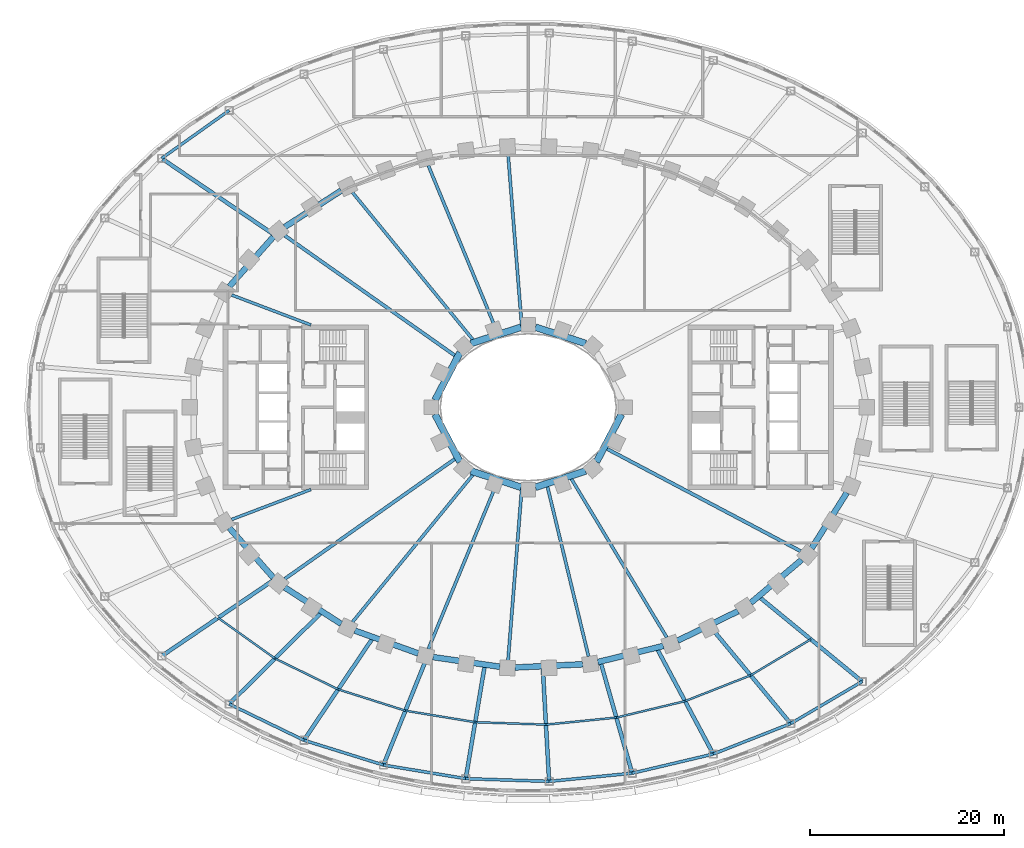
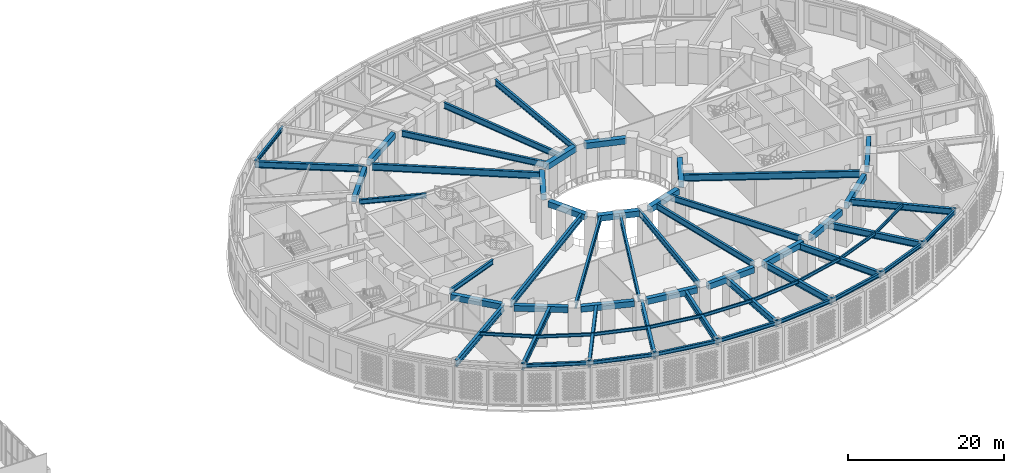
# One storey, part 12 of 74: 60 beams.
"""IFC4 building model written with IfcOpenShell, lengths in metres."""

from ifc_helpers import new_model, si_unit, direction, frame, origin, origin_2d, place, context, subcontext, project, spatial, rectangle, i_section, extrude, material, material_profile, profile_set, type_object, element, save


model = new_model("IFC4")

# Units and contexts
model_context = context("Model", 3, precision=1e-05, world=origin(), true_north=direction((0.0, 1.0)))
body_context = subcontext(model_context, "Body", "Model", "MODEL_VIEW")
ifc_project = project(units=[si_unit("LENGTHUNIT", "METRE"), si_unit("AREAUNIT", "SQUARE_METRE"), si_unit("VOLUMEUNIT", "CUBIC_METRE"), si_unit("PLANEANGLEUNIT", "RADIAN"), si_unit("MASSUNIT", "GRAM", prefix="KILO")], contexts=[model_context])

# Site, building, storey
site_placement = place(None, origin())
site = spatial("IfcSite", under=ifc_project, at=site_placement, CompositionType="ELEMENT")
building_placement = place(site_placement, origin())
building = spatial("IfcBuilding", under=site, at=building_placement, Name="Noorbagh Ring Tower", CompositionType="ELEMENT")
storey_placement = place(building_placement, frame((0.0, 0.0, 13.5)))
storey = spatial("IfcBuildingStorey", under=building, at=storey_placement, Name="L02", CompositionType="ELEMENT", Elevation=13.5)

# Beams
ifc_material_1 = material(Name="Steel S355", Category="steel")
ifc_material_profile_1 = material_profile(ifc_material_1, i_section(OverallWidth=0.300048828125, OverallDepth=0.60009765625, WebThickness=0.015380859375, FlangeThickness=0.030029296875, FilletRadius=0.027099609375, at=origin_2d()), Name="HEB600")
ifc_profile_set_1 = profile_set([ifc_material_profile_1], Name="Steel S355")
beam_type_1 = type_object("IfcBeamType", Name="GND-EDGE-BEAM-HEB600", PredefinedType="BEAM", material=ifc_profile_set_1)
beam_1_placement = place(storey_placement, frame((-30.869384765625, 30.629150390625, 5.449951171875), z_axis=(-0.815104059745, -0.579314570667, 0.0), x_axis=(0.579314570667, -0.815104059745, 0.0)))
element("IfcBeam", 1, at=beam_1_placement, inside=storey, type_object=beam_type_1, Name="L02/bm/ERP-13", PredefinedType="BEAM", context=body_context, shape_type="SweptSolid", body=[
    extrude(i_section(OverallWidth=0.300048828125, OverallDepth=0.60009765625, WebThickness=0.015380859375, FlangeThickness=0.030029296875, FilletRadius=0.027099609375, at=origin_2d()), origin(), (0.0, 0.0, 1.0), 8.543212890625),
])
beam_2_placement = place(storey_placement, frame((-30.869384765625, -30.629150390625, 5.449951171875), z_axis=(0.89994920641, -0.435994754421, 0.0), x_axis=(0.435994754421, 0.89994920641, 0.0)))
element("IfcBeam", 2, at=beam_2_placement, inside=storey, type_object=beam_type_1, Name="L02/bm/ERP-22", PredefinedType="BEAM", context=body_context, shape_type="SweptSolid", body=[
    extrude(i_section(OverallWidth=0.300048828125, OverallDepth=0.60009765625, WebThickness=0.015380859375, FlangeThickness=0.030029296875, FilletRadius=0.027099609375, at=origin_2d()), origin(), (0.0, 0.0, 1.0), 8.57470703125),
])
beam_3_placement = place(storey_placement, frame((-23.152587890625, -34.36767578125, 5.449951171875), z_axis=(0.954717204091, -0.297514806713, 0.0), x_axis=(0.297514806713, 0.954717204091, 0.0)))
element("IfcBeam", 3, at=beam_3_placement, inside=storey, type_object=beam_type_1, Name="L02/bm/ERP-23", PredefinedType="BEAM", context=body_context, shape_type="SweptSolid", body=[
    extrude(i_section(OverallWidth=0.300048828125, OverallDepth=0.60009765625, WebThickness=0.015380859375, FlangeThickness=0.030029296875, FilletRadius=0.027099609375, at=origin_2d()), origin(), (0.0, 0.0, 1.0), 8.595703125),
])
beam_4_placement = place(storey_placement, frame((-14.946044921875, -36.925048828125, 5.449951171875), z_axis=(0.986523163949, -0.163621658075, 0.0), x_axis=(0.163621658075, 0.986523163949, 0.0)))
element("IfcBeam", 4, at=beam_4_placement, inside=storey, type_object=beam_type_1, Name="L02/bm/ERP-24", PredefinedType="BEAM", context=body_context, shape_type="SweptSolid", body=[
    extrude(i_section(OverallWidth=0.300048828125, OverallDepth=0.60009765625, WebThickness=0.015380859375, FlangeThickness=0.030029296875, FilletRadius=0.027099609375, at=origin_2d()), origin(), (0.0, 0.0, 1.0), 8.60791015625),
])
beam_5_placement = place(storey_placement, frame((-6.4541015625, -38.33349609375, 5.449951171875), z_axis=(0.999468589483, -0.032596604688, 0.0), x_axis=(0.032596604688, 0.999468589483, 0.0)))
element("IfcBeam", 5, at=beam_5_placement, inside=storey, type_object=beam_type_1, Name="L02/bm/ERP-25", PredefinedType="BEAM", context=body_context, shape_type="SweptSolid", body=[
    extrude(i_section(OverallWidth=0.300048828125, OverallDepth=0.60009765625, WebThickness=0.015380859375, FlangeThickness=0.030029296875, FilletRadius=0.027099609375, at=origin_2d()), origin(), (0.0, 0.0, 1.0), 8.61328125),
])
beam_6_placement = place(storey_placement, frame((2.154541015625, -38.6142578125, 5.449951171875), z_axis=(0.9951967317, 0.097895174616, 0.0), x_axis=(-0.097895174616, 0.9951967317, 0.0)))
element("IfcBeam", 6, at=beam_6_placement, inside=storey, type_object=beam_type_1, Name="L02/bm/ERP-26", PredefinedType="BEAM", context=body_context, shape_type="SweptSolid", body=[
    extrude(i_section(OverallWidth=0.300048828125, OverallDepth=0.60009765625, WebThickness=0.015380859375, FlangeThickness=0.030029296875, FilletRadius=0.027099609375, at=origin_2d()), origin(), (0.0, 0.0, 1.0), 8.611328125),
])
beam_7_placement = place(storey_placement, frame((10.724609375, -37.771240234375, 5.449951171875), z_axis=(0.973167977411, 0.230095822957, 0.0), x_axis=(-0.230095822957, 0.973167977411, 0.0)))
element("IfcBeam", 7, at=beam_7_placement, inside=storey, type_object=beam_type_1, Name="L02/bm/ERP-27", PredefinedType="BEAM", context=body_context, shape_type="SweptSolid", body=[
    extrude(i_section(OverallWidth=0.300048828125, OverallDepth=0.60009765625, WebThickness=0.015380859375, FlangeThickness=0.030029296875, FilletRadius=0.027099609375, at=origin_2d()), origin(), (0.0, 0.0, 1.0), 8.602783203125),
])
beam_8_placement = place(storey_placement, frame((19.0966796875, -35.791748046875, 5.449951171875), z_axis=(0.930571668723, 0.366109777758, 0.0), x_axis=(-0.366109777758, 0.930571668723, 0.0)))
element("IfcBeam", 8, at=beam_8_placement, inside=storey, type_object=beam_type_1, Name="L02/bm/ERP-28", PredefinedType="BEAM", context=body_context, shape_type="SweptSolid", body=[
    extrude(i_section(OverallWidth=0.300048828125, OverallDepth=0.60009765625, WebThickness=0.015380859375, FlangeThickness=0.030029296875, FilletRadius=0.027099609375, at=origin_2d()), origin(), (0.0, 0.0, 1.0), 8.58642578125),
])
beam_9_placement = place(storey_placement, frame((27.0869140625, -32.648193359375, 5.449951171875), z_axis=(0.8618652907, 0.507137279922, 0.0), x_axis=(-0.507137279922, 0.8618652907, 0.0)))
element("IfcBeam", 9, at=beam_9_placement, inside=storey, type_object=beam_type_1, Name="L02/bm/ERP-29", PredefinedType="BEAM", context=body_context, shape_type="SweptSolid", body=[
    extrude(i_section(OverallWidth=0.300048828125, OverallDepth=0.60009765625, WebThickness=0.015380859375, FlangeThickness=0.030029296875, FilletRadius=0.027099609375, at=origin_2d()), origin(), (0.0, 0.0, 1.0), 8.560302734375),
])
ifc_material_2 = material(Name="Steel S355", Category="steel")
ifc_material_profile_2 = material_profile(ifc_material_2, i_section(OverallWidth=0.39990234375, OverallDepth=1.0, WebThickness=0.01611328125, FlangeThickness=0.0400390625, at=origin_2d()), Name="PG1000x400x16x40")
ifc_profile_set_2 = profile_set([ifc_material_profile_2], Name="Steel S355")
beam_type_2 = type_object("IfcBeamType", Name="GND-GIRDER-PG1000x400x16x40", PredefinedType="BEAM", material=ifc_profile_set_2)
for number, where, z_axis, x_axis, name in (
    (10, (-37.8330078125, 25.679931640625, 5.25), (0.82739656341, -0.561618132593, 0.0), (0.561618132593, 0.82739656341, 0.0), "L02/bm/GRP-14"),
    (11, (-37.8330078125, -25.679931640625, 5.25), (0.82739656341, 0.561618132593, 0.0), (-0.561618132593, 0.82739656341, 0.0), "L02/bm/GRP-21"),
):
    element("IfcBeam", number, at=place(storey_placement, frame(where, z_axis=z_axis, x_axis=x_axis)), inside=storey, type_object=beam_type_2, Name=name, PredefinedType="BEAM", context=body_context, shape_type="SweptSolid", body=[
        extrude(i_section(OverallWidth=0.39990234375, OverallDepth=1.0, WebThickness=0.01611328125, FlangeThickness=0.0400390625, at=origin_2d()), origin(), (0.0, 0.0, 1.0), 14.06640625),
    ])
beam_10_placement = place(storey_placement, frame((-30.869384765625, -30.629150390625, 5.25), z_axis=(0.70986613718, 0.704336615039, 0.0), x_axis=(-0.704336615039, 0.70986613718, 0.0)))
element("IfcBeam", 12, at=beam_10_placement, inside=storey, type_object=beam_type_2, Name="L02/bm/GRP-22", PredefinedType="BEAM", context=body_context, shape_type="SweptSolid", body=[
    extrude(i_section(OverallWidth=0.39990234375, OverallDepth=1.0, WebThickness=0.01611328125, FlangeThickness=0.0400390625, at=origin_2d()), origin(), (0.0, 0.0, 1.0), 13.333984375),
])
beam_11_placement = place(storey_placement, frame((-23.152587890625, -34.36767578125, 5.25), z_axis=(0.558711358029, 0.829362175656, 0.0), x_axis=(-0.829362175656, 0.558711358029, 0.0)))
element("IfcBeam", 13, at=beam_11_placement, inside=storey, type_object=beam_type_2, Name="L02/bm/GRP-23", PredefinedType="BEAM", context=body_context, shape_type="SweptSolid", body=[
    extrude(i_section(OverallWidth=0.39990234375, OverallDepth=1.0, WebThickness=0.01611328125, FlangeThickness=0.0400390625, at=origin_2d()), origin(), (0.0, 0.0, 1.0), 12.6630859375),
])
beam_12_placement = place(storey_placement, frame((-14.946044921875, -36.925048828125, 5.25), z_axis=(0.375201842514, 0.926943135998, 0.0), x_axis=(-0.926943135998, 0.375201842514, 0.0)))
element("IfcBeam", 14, at=beam_12_placement, inside=storey, type_object=beam_type_2, Name="L02/bm/GRP-24", PredefinedType="BEAM", context=body_context, shape_type="SweptSolid", body=[
    extrude(i_section(OverallWidth=0.39990234375, OverallDepth=1.0, WebThickness=0.01611328125, FlangeThickness=0.0400390625, at=origin_2d()), origin(), (0.0, 0.0, 1.0), 12.094970703125),
])
beam_13_placement = place(storey_placement, frame((-6.4541015625, -38.33349609375, 5.25), z_axis=(0.166032765637, 0.986120236449, 0.0), x_axis=(-0.986120236449, 0.166032765637, 0.0)))
element("IfcBeam", 15, at=beam_13_placement, inside=storey, type_object=beam_type_2, Name="L02/bm/GRP-25", PredefinedType="BEAM", context=body_context, shape_type="SweptSolid", body=[
    extrude(i_section(OverallWidth=0.39990234375, OverallDepth=1.0, WebThickness=0.01611328125, FlangeThickness=0.0400390625, at=origin_2d()), origin(), (0.0, 0.0, 1.0), 11.82373046875),
])
beam_14_placement = place(storey_placement, frame((2.154541015625, -38.6142578125, 5.25), z_axis=(-0.055716608816, 0.998446623261, 0.0), x_axis=(-0.998446623261, -0.055716608816, 0.0)))
element("IfcBeam", 16, at=beam_14_placement, inside=storey, type_object=beam_type_2, Name="L02/bm/GRP-26", PredefinedType="BEAM", context=body_context, shape_type="SweptSolid", body=[
    extrude(i_section(OverallWidth=0.39990234375, OverallDepth=1.0, WebThickness=0.01611328125, FlangeThickness=0.0400390625, at=origin_2d()), origin(), (0.0, 0.0, 1.0), 11.734619140625),
])
beam_15_placement = place(storey_placement, frame((10.724609375, -37.771240234375, 5.25), z_axis=(-0.273130016452, 0.961977127645, 0.0), x_axis=(-0.961977127645, -0.273130016452, 0.0)))
element("IfcBeam", 17, at=beam_15_placement, inside=storey, type_object=beam_type_2, Name="L02/bm/GRP-27", PredefinedType="BEAM", context=body_context, shape_type="SweptSolid", body=[
    extrude(i_section(OverallWidth=0.39990234375, OverallDepth=1.0, WebThickness=0.01611328125, FlangeThickness=0.0400390625, at=origin_2d()), origin(), (0.0, 0.0, 1.0), 11.939208984375),
])
beam_16_placement = place(storey_placement, frame((19.0966796875, -35.791748046875, 5.25), z_axis=(-0.470746944877, 0.88226827773, 0.0), x_axis=(-0.88226827773, -0.470746944877, 0.0)))
element("IfcBeam", 18, at=beam_16_placement, inside=storey, type_object=beam_type_2, Name="L02/bm/GRP-28", PredefinedType="BEAM", context=body_context, shape_type="SweptSolid", body=[
    extrude(i_section(OverallWidth=0.39990234375, OverallDepth=1.0, WebThickness=0.01611328125, FlangeThickness=0.0400390625, at=origin_2d()), origin(), (0.0, 0.0, 1.0), 12.375),
])
beam_17_placement = place(storey_placement, frame((27.0869140625, -32.648193359375, 5.25), z_axis=(-0.638516852805, 0.769607840841, 0.0), x_axis=(-0.769607840841, -0.638516852805, 0.0)))
element("IfcBeam", 19, at=beam_17_placement, inside=storey, type_object=beam_type_2, Name="L02/bm/GRP-29", PredefinedType="BEAM", context=body_context, shape_type="SweptSolid", body=[
    extrude(i_section(OverallWidth=0.39990234375, OverallDepth=1.0, WebThickness=0.01611328125, FlangeThickness=0.0400390625, at=origin_2d()), origin(), (0.0, 0.0, 1.0), 12.943603515625),
])
beam_18_placement = place(storey_placement, frame((34.46484375, -28.306884765625, 5.25), z_axis=(-0.772763025599, 0.63469465593, 0.0), x_axis=(-0.63469465593, -0.772763025599, 0.0)))
element("IfcBeam", 20, at=beam_18_placement, inside=storey, type_object=beam_type_2, Name="L02/bm/GRP-30", PredefinedType="BEAM", context=body_context, shape_type="SweptSolid", body=[
    extrude(i_section(OverallWidth=0.39990234375, OverallDepth=1.0, WebThickness=0.01611328125, FlangeThickness=0.0400390625, at=origin_2d()), origin(), (0.0, 0.0, 1.0), 13.723388671875),
])
ifc_material_3 = material(Name="Steel S355", Category="steel")
ifc_material_profile_3 = material_profile(ifc_material_3, i_section(OverallWidth=0.199951171875, OverallDepth=0.5, WebThickness=0.01025390625, FlangeThickness=0.01611328125, FilletRadius=0.02099609375, at=origin_2d()), Name="IPE500")
ifc_profile_set_3 = profile_set([ifc_material_profile_3], Name="Steel S355")
beam_type_3 = type_object("IfcBeamType", Name="GND-MID-BEAM-IPE500", PredefinedType="JOIST", material=ifc_profile_set_3)
beam_19_placement = place(storey_placement, frame((-32.013916015625, -21.72998046875, 5.5), z_axis=(0.813381743113, -0.581730298308, 0.0), x_axis=(0.581730298308, 0.813381743113, 0.0)))
element("IfcBeam", 21, at=beam_19_placement, inside=storey, type_object=beam_type_3, Name="L02/bm/MRP-21", PredefinedType="JOIST", context=body_context, shape_type="SweptSolid", body=[
    extrude(i_section(OverallWidth=0.199951171875, OverallDepth=0.5, WebThickness=0.01025390625, FlangeThickness=0.01611328125, FilletRadius=0.02099609375, at=origin_2d()), origin(), (0.0, 0.0, 1.0), 7.2255859375),
])
beam_20_placement = place(storey_placement, frame((-26.13671875, -25.933349609375, 5.5), z_axis=(0.898658812704, -0.438648308271, 0.0), x_axis=(0.438648308271, 0.898658812704, 0.0)))
element("IfcBeam", 22, at=beam_20_placement, inside=storey, type_object=beam_type_3, Name="L02/bm/MRP-22", PredefinedType="JOIST", context=body_context, shape_type="SweptSolid", body=[
    extrude(i_section(OverallWidth=0.199951171875, OverallDepth=0.5, WebThickness=0.01025390625, FlangeThickness=0.01611328125, FilletRadius=0.02099609375, at=origin_2d()), origin(), (0.0, 0.0, 1.0), 7.257080078125),
])
beam_21_placement = place(storey_placement, frame((-19.614990234375, -29.11669921875, 5.5), z_axis=(0.9531202752, -0.302591706765, 0.0), x_axis=(0.302591706765, 0.9531202752, 0.0)))
element("IfcBeam", 23, at=beam_21_placement, inside=storey, type_object=beam_type_3, Name="L02/bm/MRP-23", PredefinedType="JOIST", context=body_context, shape_type="SweptSolid", body=[
    extrude(i_section(OverallWidth=0.199951171875, OverallDepth=0.5, WebThickness=0.01025390625, FlangeThickness=0.01611328125, FilletRadius=0.02099609375, at=origin_2d()), origin(), (0.0, 0.0, 1.0), 7.279296875),
])
beam_22_placement = place(storey_placement, frame((-12.677001953125, -31.3193359375, 5.5), z_axis=(0.986756598534, -0.162207938309, 0.0), x_axis=(0.162207938309, 0.986756598534, 0.0)))
element("IfcBeam", 24, at=beam_22_placement, inside=storey, type_object=beam_type_3, Name="L02/bm/MRP-24", PredefinedType="JOIST", context=body_context, shape_type="SweptSolid", body=[
    extrude(i_section(OverallWidth=0.199951171875, OverallDepth=0.5, WebThickness=0.01025390625, FlangeThickness=0.01611328125, FilletRadius=0.02099609375, at=origin_2d()), origin(), (0.0, 0.0, 1.0), 7.30126953125),
])
beam_23_placement = place(storey_placement, frame((-5.472412109375, -32.503662109375, 5.5), z_axis=(0.999402620435, -0.034560125398, 0.0), x_axis=(0.034560125398, 0.999402620435, 0.0)))
element("IfcBeam", 25, at=beam_23_placement, inside=storey, type_object=beam_type_3, Name="L02/bm/MRP-25", PredefinedType="JOIST", context=body_context, shape_type="SweptSolid", body=[
    extrude(i_section(OverallWidth=0.199951171875, OverallDepth=0.5, WebThickness=0.01025390625, FlangeThickness=0.01611328125, FilletRadius=0.02099609375, at=origin_2d()), origin(), (0.0, 0.0, 1.0), 7.304443359375),
])
beam_24_placement = place(storey_placement, frame((1.82763671875, -32.756103515625, 5.5), z_axis=(0.99502493545, 0.099626190493, 0.0), x_axis=(-0.099626190493, 0.99502493545, 0.0)))
element("IfcBeam", 26, at=beam_24_placement, inside=storey, type_object=beam_type_3, Name="L02/bm/MRP-26", PredefinedType="JOIST", context=body_context, shape_type="SweptSolid", body=[
    extrude(i_section(OverallWidth=0.199951171875, OverallDepth=0.5, WebThickness=0.01025390625, FlangeThickness=0.01611328125, FilletRadius=0.02099609375, at=origin_2d()), origin(), (0.0, 0.0, 1.0), 7.302734375),
])
beam_25_placement = place(storey_placement, frame((9.093994140625, -32.028564453125, 5.5), z_axis=(0.972568186564, 0.23261797541, 0.0), x_axis=(-0.23261797541, 0.972568186564, 0.0)))
element("IfcBeam", 27, at=beam_25_placement, inside=storey, type_object=beam_type_3, Name="L02/bm/MRP-27", PredefinedType="JOIST", context=body_context, shape_type="SweptSolid", body=[
    extrude(i_section(OverallWidth=0.199951171875, OverallDepth=0.5, WebThickness=0.01025390625, FlangeThickness=0.01611328125, FilletRadius=0.02099609375, at=origin_2d()), origin(), (0.0, 0.0, 1.0), 7.2900390625),
])
beam_26_placement = place(storey_placement, frame((16.18408203125, -30.332763671875, 5.5), z_axis=(0.930496782909, 0.36630006415, 0.0), x_axis=(-0.36630006415, 0.930496782909, 0.0)))
element("IfcBeam", 28, at=beam_26_placement, inside=storey, type_object=beam_type_3, Name="L02/bm/MRP-28", PredefinedType="JOIST", context=body_context, shape_type="SweptSolid", body=[
    extrude(i_section(OverallWidth=0.199951171875, OverallDepth=0.5, WebThickness=0.01025390625, FlangeThickness=0.01611328125, FilletRadius=0.02099609375, at=origin_2d()), origin(), (0.0, 0.0, 1.0), 7.276123046875),
])
beam_27_placement = place(storey_placement, frame((22.95458984375, -27.66748046875, 5.5), z_axis=(0.858046251749, 0.513572419293, 0.0), x_axis=(-0.513572419293, 0.858046251749, 0.0)))
element("IfcBeam", 29, at=beam_27_placement, inside=storey, type_object=beam_type_3, Name="L02/bm/MRP-29", PredefinedType="JOIST", context=body_context, shape_type="SweptSolid", body=[
    extrude(i_section(OverallWidth=0.199951171875, OverallDepth=0.5, WebThickness=0.01025390625, FlangeThickness=0.01611328125, FilletRadius=0.02099609375, at=origin_2d()), origin(), (0.0, 0.0, 1.0), 7.23486328125),
])
ifc_material_4 = material(Name="Steel S355", Category="steel")
ifc_material_profile_4 = material_profile(ifc_material_4, i_section(OverallWidth=0.35009765625, OverallDepth=1.050048828125, WebThickness=0.01806640625, FlangeThickness=0.033935546875, at=origin_2d()), Name="PG1050x350x18x34")
ifc_profile_set_4 = profile_set([ifc_material_profile_4], Name="Steel S355")
beam_type_4 = type_object("IfcBeamType", Name="STR-RAD-PG1050x350x18x34", PredefinedType="BEAM", material=ifc_profile_set_4)
for number, where, z_axis, x_axis, name in (
    (30, (-25.12353515625, 17.715576171875, 5.22509765625), (0.817253259362, -0.576278673961, 0.0), (0.576278673961, 0.817253259362, 0.0), "L02/bm/RD19"),
    (31, (-25.12353515625, -17.715576171875, 5.22509765625), (0.817253259362, 0.576278673961, 0.0), (-0.576278673961, 0.817253259362, 0.0), "L02/bm/RD29"),
):
    element("IfcBeam", number, at=place(storey_placement, frame(where, z_axis=z_axis, x_axis=x_axis)), inside=storey, type_object=beam_type_4, Name=name, PredefinedType="BEAM", context=body_context, shape_type="SweptSolid", body=[
        extrude(i_section(OverallWidth=0.35009765625, OverallDepth=1.050048828125, WebThickness=0.01806640625, FlangeThickness=0.033935546875, at=origin_2d()), origin(), (0.0, 0.0, 1.0), 21.471435546875),
    ])
beam_28_placement = place(storey_placement, frame((28.108642578125, -14.855224609375, 5.22509765625), z_axis=(-0.884121906441, 0.467256304988, 0.0), x_axis=(-0.467256304988, -0.884121906441, 0.0)))
element("IfcBeam", 32, at=beam_28_placement, inside=storey, type_object=beam_type_4, Name="L02/bm/RD43", PredefinedType="BEAM", context=body_context, shape_type="SweptSolid", body=[
    extrude(i_section(OverallWidth=0.35009765625, OverallDepth=1.050048828125, WebThickness=0.01806640625, FlangeThickness=0.033935546875, at=origin_2d()), origin(), (0.0, 0.0, 1.0), 22.601806640625),
])
ifc_material_5 = material(Name="Steel S355", Category="steel")
ifc_material_profile_5 = material_profile(ifc_material_5, i_section(OverallWidth=0.300048828125, OverallDepth=0.75, WebThickness=0.013916015625, FlangeThickness=0.02587890625, at=origin_2d()), Name="PG750x300x14x26")
ifc_profile_set_5 = profile_set([ifc_material_profile_5], Name="Steel S355")
beam_type_5 = type_object("IfcBeamType", Name="STR-RAD-PG750x300x14x26", PredefinedType="BEAM", material=ifc_profile_set_5)
for number, where, z_axis, x_axis, name in (
    (33, (-30.619873046875, 11.5888671875, 5.375), (0.935258038122, -0.353966668102, 0.0), (0.353966668102, 0.935258038122, 0.0), "L02/bm/RD21"),
    (34, (-30.619873046875, -11.5888671875, 5.375), (0.935258038122, 0.353966668102, 0.0), (-0.353966668102, 0.935258038122, 0.0), "L02/bm/RD27"),
):
    element("IfcBeam", number, at=place(storey_placement, frame(where, z_axis=z_axis, x_axis=x_axis)), inside=storey, type_object=beam_type_5, Name=name, PredefinedType="BEAM", context=body_context, shape_type="SweptSolid", body=[
        extrude(i_section(OverallWidth=0.300048828125, OverallDepth=0.75, WebThickness=0.013916015625, FlangeThickness=0.02587890625, at=origin_2d()), origin(), (0.0, 0.0, 1.0), 8.746337890625),
    ])
ifc_material_6 = material(Name="Steel S355", Category="steel")
ifc_material_profile_6 = material_profile(ifc_material_6, i_section(OverallWidth=0.320068359375, OverallDepth=0.949951171875, WebThickness=0.01611328125, FlangeThickness=0.030029296875, at=origin_2d()), Name="PG950x320x16x30")
ifc_profile_set_6 = profile_set([ifc_material_profile_6], Name="Steel S355")
beam_type_6 = type_object("IfcBeamType", Name="STR-RAD-PG950x320x16x30", PredefinedType="BEAM", material=ifc_profile_set_6)
beam_29_placement = place(storey_placement, frame((-2.081298828125, 26.1201171875, 5.27490234375), z_axis=(0.079425808882, -0.996840780107, 0.0), x_axis=(0.996840780107, 0.079425808882, 0.0)))
element("IfcBeam", 35, at=beam_29_placement, inside=storey, type_object=beam_type_6, Name="L02/bm/RD13", PredefinedType="BEAM", context=body_context, shape_type="SweptSolid", body=[
    extrude(i_section(OverallWidth=0.320068359375, OverallDepth=0.949951171875, WebThickness=0.01611328125, FlangeThickness=0.030029296875, at=origin_2d()), origin(), (0.0, 0.0, 1.0), 18.227783203125),
])
beam_30_placement = place(storey_placement, frame((-10.311767578125, 24.9443359375, 5.27490234375), z_axis=(0.382034392842, -0.924148106467, 0.0), x_axis=(0.924148106467, 0.382034392842, 0.0)))
element("IfcBeam", 36, at=beam_30_placement, inside=storey, type_object=beam_type_6, Name="L02/bm/RD15", PredefinedType="BEAM", context=body_context, shape_type="SweptSolid", body=[
    extrude(i_section(OverallWidth=0.320068359375, OverallDepth=0.949951171875, WebThickness=0.01611328125, FlangeThickness=0.030029296875, at=origin_2d()), origin(), (0.0, 0.0, 1.0), 18.548583984375),
])
for number, where, z_axis, x_axis, name in (
    (37, (-18.138427734375, 22.164794921875, 5.27490234375), (0.633308995725, -0.773899034715, 0.0), (0.773899034715, 0.633308995725, 0.0), "L02/bm/RD17"),
    (38, (-18.138427734375, -22.164794921875, 5.27490234375), (0.633308995725, 0.773899034715, 0.0), (-0.773899034715, 0.633308995725, 0.0), "L02/bm/RD31"),
):
    element("IfcBeam", number, at=place(storey_placement, frame(where, z_axis=z_axis, x_axis=x_axis)), inside=storey, type_object=beam_type_6, Name=name, PredefinedType="BEAM", context=body_context, shape_type="SweptSolid", body=[
        extrude(i_section(OverallWidth=0.320068359375, OverallDepth=0.949951171875, WebThickness=0.01611328125, FlangeThickness=0.030029296875, at=origin_2d()), origin(), (0.0, 0.0, 1.0), 19.603759765625),
    ])
beam_31_placement = place(storey_placement, frame((-10.311767578125, -24.9443359375, 5.27490234375), z_axis=(0.382034392842, 0.924148106467, 0.0), x_axis=(-0.924148106467, 0.382034392842, 0.0)))
element("IfcBeam", 39, at=beam_31_placement, inside=storey, type_object=beam_type_6, Name="L02/bm/RD33", PredefinedType="BEAM", context=body_context, shape_type="SweptSolid", body=[
    extrude(i_section(OverallWidth=0.320068359375, OverallDepth=0.949951171875, WebThickness=0.01611328125, FlangeThickness=0.030029296875, at=origin_2d()), origin(), (0.0, 0.0, 1.0), 18.548583984375),
])
beam_32_placement = place(storey_placement, frame((-2.081298828125, -26.1201171875, 5.27490234375), z_axis=(0.079425808882, 0.996840780107, 0.0), x_axis=(-0.996840780107, 0.079425808882, 0.0)))
element("IfcBeam", 40, at=beam_32_placement, inside=storey, type_object=beam_type_6, Name="L02/bm/RD35", PredefinedType="BEAM", context=body_context, shape_type="SweptSolid", body=[
    extrude(i_section(OverallWidth=0.320068359375, OverallDepth=0.949951171875, WebThickness=0.01611328125, FlangeThickness=0.030029296875, at=origin_2d()), origin(), (0.0, 0.0, 1.0), 18.227783203125),
])
beam_33_placement = place(storey_placement, frame((6.22509765625, -25.729248046875, 5.27490234375), z_axis=(-0.235155855534, 0.971957675832, 0.0), x_axis=(-0.971957675832, -0.235155855534, 0.0)))
element("IfcBeam", 41, at=beam_33_placement, inside=storey, type_object=beam_type_6, Name="L02/bm/RD37", PredefinedType="BEAM", context=body_context, shape_type="SweptSolid", body=[
    extrude(i_section(OverallWidth=0.320068359375, OverallDepth=0.949951171875, WebThickness=0.01611328125, FlangeThickness=0.030029296875, at=origin_2d()), origin(), (0.0, 0.0, 1.0), 18.029541015625),
])
beam_34_placement = place(storey_placement, frame((14.29931640625, -23.759033203125, 5.27490234375), z_axis=(-0.515655762899, 0.856795853275, 0.0), x_axis=(-0.856795853275, -0.515655762899, 0.0)))
element("IfcBeam", 42, at=beam_34_placement, inside=storey, type_object=beam_type_6, Name="L02/bm/RD39", PredefinedType="BEAM", context=body_context, shape_type="SweptSolid", body=[
    extrude(i_section(OverallWidth=0.320068359375, OverallDepth=0.949951171875, WebThickness=0.01611328125, FlangeThickness=0.030029296875, at=origin_2d()), origin(), (0.0, 0.0, 1.0), 19.0888671875),
])
ifc_material_7 = material(Name="Concrete C40/50", Category="concrete")
ifc_material_profile_7 = material_profile(ifc_material_7, rectangle(XDim=0.699951171875, YDim=0.89990234375, at=origin_2d()), Name="RC700x900")
ifc_profile_set_7 = profile_set([ifc_material_profile_7], Name="Concrete C40/50")
beam_type_7 = type_object("IfcBeamType", Name="STR-RB-RC700x900-C40-50", PredefinedType="BEAM", material=ifc_profile_set_7)
for number, where, z_axis, x_axis, name in (
    (43, (5.92431640625, 6.579833984375, 5.300048828125), (-0.951144414124, 0.308746341648, 0.0), (-0.308746341648, -0.951144414124, 0.0), "L02/bm/RG03"),
    (44, (-0.73095703125, 8.265625, 5.300048828125), (-0.951144414124, -0.308746341648, 0.0), (0.308746341648, -0.951144414124, 0.0), "L02/bm/RG05"),
):
    element("IfcBeam", number, at=place(storey_placement, frame(where, z_axis=z_axis, x_axis=x_axis)), inside=storey, type_object=beam_type_7, Name=name, PredefinedType="BEAM", context=body_context, shape_type="SweptSolid", body=[
        extrude(rectangle(XDim=0.699951171875, YDim=0.89990234375, at=origin_2d()), origin(), (0.0, 0.0, 1.0), 5.460205078125),
    ])
for number, where, z_axis, x_axis, name in (
    (45, (-7.04638671875, 5.640380859375, 5.300048828125), (-0.464916752751, -0.885354399668, 0.0), (0.885354399668, -0.464916752751, 0.0), "L02/bm/RG07"),
    (46, (-9.623779296875, -0.732177734375, 5.300048828125), (0.464916752751, -0.885354399668, 0.0), (0.885354399668, 0.464916752751, 0.0), "L02/bm/RG09"),
):
    element("IfcBeam", number, at=place(storey_placement, frame(where, z_axis=z_axis, x_axis=x_axis)), inside=storey, type_object=beam_type_7, Name=name, PredefinedType="BEAM", context=body_context, shape_type="SweptSolid", body=[
        extrude(rectangle(XDim=0.699951171875, YDim=0.89990234375, at=origin_2d()), origin(), (0.0, 0.0, 1.0), 5.543701171875),
    ])
for number, where, z_axis, x_axis, name in (
    (47, (-5.92431640625, -6.579833984375, 5.300048828125), (0.951144414124, -0.308746341648, 0.0), (0.308746341648, 0.951144414124, 0.0), "L02/bm/RG11"),
    (48, (0.73095703125, -8.265625, 5.300048828125), (0.951144414124, 0.308746341648, 0.0), (-0.308746341648, 0.951144414124, 0.0), "L02/bm/RG13"),
):
    element("IfcBeam", number, at=place(storey_placement, frame(where, z_axis=z_axis, x_axis=x_axis)), inside=storey, type_object=beam_type_7, Name=name, PredefinedType="BEAM", context=body_context, shape_type="SweptSolid", body=[
        extrude(rectangle(XDim=0.699951171875, YDim=0.89990234375, at=origin_2d()), origin(), (0.0, 0.0, 1.0), 5.460205078125),
    ])
beam_35_placement = place(storey_placement, frame((7.04638671875, -5.640380859375, 5.300048828125), z_axis=(0.464916752751, 0.885354399668, 0.0), x_axis=(-0.885354399668, 0.464916752751, 0.0)))
element("IfcBeam", 49, at=beam_35_placement, inside=storey, type_object=beam_type_7, Name="L02/bm/RG15", PredefinedType="BEAM", context=body_context, shape_type="SweptSolid", body=[
    extrude(rectangle(XDim=0.699951171875, YDim=0.89990234375, at=origin_2d()), origin(), (0.0, 0.0, 1.0), 5.543701171875),
])
ifc_material_8 = material(Name="Concrete C40/50", Category="concrete")
ifc_material_profile_8 = material_profile(ifc_material_8, rectangle(XDim=0.60009765625, YDim=0.89990234375, at=origin_2d()), Name="RC600x900")
ifc_profile_set_8 = profile_set([ifc_material_profile_8], Name="Concrete C40/50")
beam_type_8 = type_object("IfcBeamType", Name="STR-SB-RC600x900-C40-50", PredefinedType="BEAM", material=ifc_profile_set_8)
beam_36_placement = place(storey_placement, frame((-19.306396484375, 22.359375, 5.300048828125), z_axis=(-0.840249989986, -0.542199183261, 0.0), x_axis=(0.542199183261, -0.840249989986, 0.0)))
element("IfcBeam", 50, at=beam_36_placement, inside=storey, type_object=beam_type_8, Name="L02/bm/SP17", PredefinedType="BEAM", context=body_context, shape_type="SweptSolid", body=[
    extrude(rectangle(XDim=0.60009765625, YDim=0.89990234375, at=origin_2d()), origin(), (0.0, 0.0, 1.0), 6.9208984375),
])
for number, where, z_axis, x_axis, name in (
    (51, (-26.30517578125, 17.58984375, 5.300048828125), (-0.662635440904, -0.748942102206, 0.0), (0.748942102206, -0.662635440904, 0.0), "L02/bm/SP19"),
    (52, (-30.84130859375, -12.462890625, 5.300048828125), (0.662635440904, -0.748942102206, 0.0), (0.748942102206, 0.662635440904, 0.0), "L02/bm/SP27"),
):
    element("IfcBeam", number, at=place(storey_placement, frame(where, z_axis=z_axis, x_axis=x_axis)), inside=storey, type_object=beam_type_8, Name=name, PredefinedType="BEAM", context=body_context, shape_type="SweptSolid", body=[
        extrude(rectangle(XDim=0.60009765625, YDim=0.89990234375, at=origin_2d()), origin(), (0.0, 0.0, 1.0), 6.845703125),
    ])
beam_37_placement = place(storey_placement, frame((-25.12158203125, -18.60693359375, 5.300048828125), z_axis=(0.840249989986, -0.542199183261, 0.0), x_axis=(0.542199183261, 0.840249989986, 0.0)))
element("IfcBeam", 53, at=beam_37_placement, inside=storey, type_object=beam_type_8, Name="L02/bm/SP29", PredefinedType="BEAM", context=body_context, shape_type="SweptSolid", body=[
    extrude(rectangle(XDim=0.60009765625, YDim=0.89990234375, at=origin_2d()), origin(), (0.0, 0.0, 1.0), 6.9208984375),
])
beam_38_placement = place(storey_placement, frame((-17.90771484375, -23.051025390625, 5.300048828125), z_axis=(0.941030272182, -0.338322371175, 0.0), x_axis=(0.338322371175, 0.941030272182, 0.0)))
element("IfcBeam", 54, at=beam_38_placement, inside=storey, type_object=beam_type_8, Name="L02/bm/SP31", PredefinedType="BEAM", context=body_context, shape_type="SweptSolid", body=[
    extrude(rectangle(XDim=0.60009765625, YDim=0.89990234375, at=origin_2d()), origin(), (0.0, 0.0, 1.0), 6.96728515625),
])
beam_39_placement = place(storey_placement, frame((-9.83740234375, -25.785888671875, 5.300048828125), z_axis=(0.989714845194, -0.143054273623, 0.0), x_axis=(0.143054273623, 0.989714845194, 0.0)))
element("IfcBeam", 55, at=beam_39_placement, inside=storey, type_object=beam_type_8, Name="L02/bm/SP33", PredefinedType="BEAM", context=body_context, shape_type="SweptSolid", body=[
    extrude(rectangle(XDim=0.60009765625, YDim=0.89990234375, at=origin_2d()), origin(), (0.0, 0.0, 1.0), 6.990234375),
])
beam_40_placement = place(storey_placement, frame((-1.3603515625, -26.86083984375, 5.300048828125), z_axis=(0.998867742854, 0.047573440964, 0.0), x_axis=(-0.047573440964, 0.998867742854, 0.0)))
element("IfcBeam", 56, at=beam_40_placement, inside=storey, type_object=beam_type_8, Name="L02/bm/SP35", PredefinedType="BEAM", context=body_context, shape_type="SweptSolid", body=[
    extrude(rectangle(XDim=0.60009765625, YDim=0.89990234375, at=origin_2d()), origin(), (0.0, 0.0, 1.0), 6.99462890625),
])
beam_41_placement = place(storey_placement, frame((7.170166015625, -26.302978515625, 5.300048828125), z_axis=(0.970827667704, 0.239778313491, 0.0), x_axis=(-0.239778313491, 0.970827667704, 0.0)))
element("IfcBeam", 57, at=beam_41_placement, inside=storey, type_object=beam_type_8, Name="L02/bm/SP37", PredefinedType="BEAM", context=body_context, shape_type="SweptSolid", body=[
    extrude(rectangle(XDim=0.60009765625, YDim=0.89990234375, at=origin_2d()), origin(), (0.0, 0.0, 1.0), 6.981689453125),
])
beam_42_placement = place(storey_placement, frame((15.41455078125, -24.09619140625, 5.300048828125), z_axis=(0.898397301801, 0.439183661031, 0.0), x_axis=(-0.439183661031, 0.898397301801, 0.0)))
element("IfcBeam", 58, at=beam_42_placement, inside=storey, type_object=beam_type_8, Name="L02/bm/SP39", PredefinedType="BEAM", context=body_context, shape_type="SweptSolid", body=[
    extrude(rectangle(XDim=0.60009765625, YDim=0.89990234375, at=origin_2d()), origin(), (0.0, 0.0, 1.0), 6.947509765625),
])
beam_43_placement = place(storey_placement, frame((22.96240234375, -20.19140625, 5.300048828125), z_axis=(0.763029833708, 0.646363266957, 0.0), x_axis=(-0.646363266957, 0.763029833708, 0.0)))
element("IfcBeam", 59, at=beam_43_placement, inside=storey, type_object=beam_type_8, Name="L02/bm/SP41", PredefinedType="BEAM", context=body_context, shape_type="SweptSolid", body=[
    extrude(rectangle(XDim=0.60009765625, YDim=0.89990234375, at=origin_2d()), origin(), (0.0, 0.0, 1.0), 6.886962890625),
])
beam_44_placement = place(storey_placement, frame((29.24169921875, -14.56298828125, 5.300048828125), z_axis=(0.535204111644, 0.844722770428, 0.0), x_axis=(-0.844722770428, 0.535204111644, 0.0)))
element("IfcBeam", 60, at=beam_44_placement, inside=storey, type_object=beam_type_8, Name="L02/bm/SP43", PredefinedType="BEAM", context=body_context, shape_type="SweptSolid", body=[
    extrude(rectangle(XDim=0.60009765625, YDim=0.89990234375, at=origin_2d()), origin(), (0.0, 0.0, 1.0), 6.800048828125),
])

save(model, "model.ifc")
